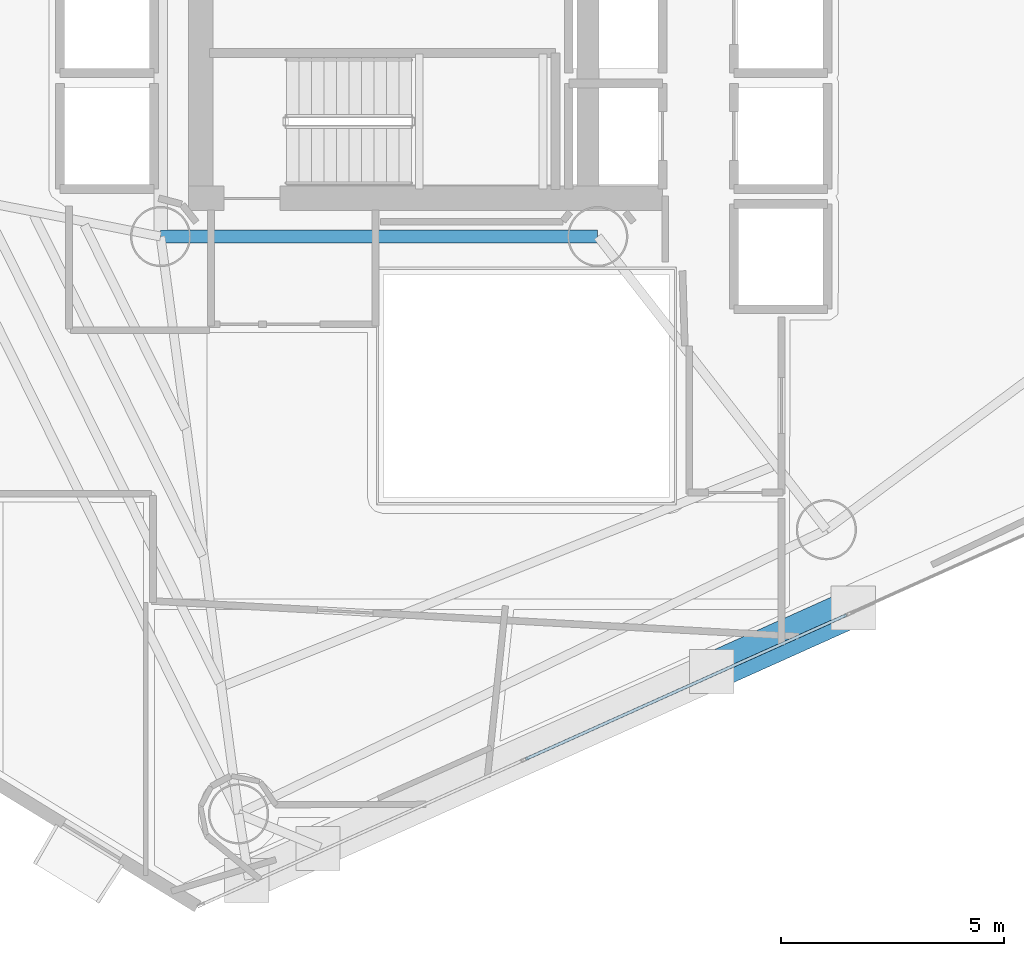
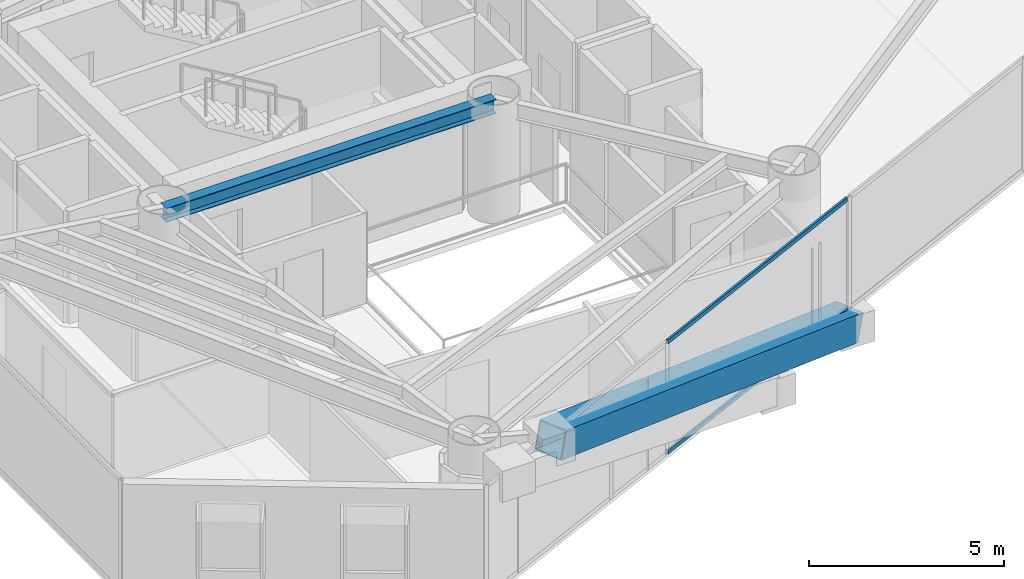
# One storey, part 6 of 23: 3 members, 1 beam, 1 element without a shape of its own.
"""IFC4 building model written with IfcOpenShell, lengths in metres."""

from ifc_helpers import new_model, si_unit, direction, frame, origin, origin_2d, place, context, subcontext, project, spatial, hollow_rectangle, i_section, extrude, material, layer, layer_set, material_profile, profile_set, type_object, element, aggregate, save


model = new_model("IFC4")

# Units and contexts
model_context = context("Model", 3, precision=1e-05, world=origin(), true_north=direction((0.0, 1.0)))
body_context = subcontext(model_context, "Body", "Model", "MODEL_VIEW")
ifc_project = project(units=[si_unit("LENGTHUNIT", "METRE"), si_unit("AREAUNIT", "SQUARE_METRE"), si_unit("VOLUMEUNIT", "CUBIC_METRE"), si_unit("PLANEANGLEUNIT", "RADIAN"), si_unit("MASSUNIT", "GRAM", prefix="KILO")], contexts=[model_context])

# Site, building, storey
site_placement = place(None, origin())
site = spatial("IfcSite", under=ifc_project, at=site_placement, CompositionType="ELEMENT")
building_placement = place(site_placement, origin())
building = spatial("IfcBuilding", under=site, at=building_placement, Name="Qianvela Tower", CompositionType="ELEMENT")
storey_placement = place(building_placement, frame((0.0, 0.0, 147.60009765625)))
storey = spatial("IfcBuildingStorey", under=building, at=storey_placement, Name="L37", CompositionType="ELEMENT", Elevation=147.60009765625)

# Beam
ifc_material_1 = material(Name="Steel Q355B", Category="steel")
ifc_material_profile_1 = material_profile(ifc_material_1, i_section(OverallWidth=0.300048828125, OverallDepth=0.43994140625, WebThickness=0.010986328125, FlangeThickness=0.01806640625, at=origin_2d()), Name="HM440x300x11x18")
ifc_profile_set_1 = profile_set([ifc_material_profile_1], Name="Steel Q355B")
beam_type = type_object("IfcBeamType", Name="BM-HM440-COLL", PredefinedType="BEAM", material=ifc_profile_set_1)
beam_placement = place(storey_placement, frame((28.60009765625, 23.85009765625, 3.2978515625), z_axis=(1.0, 0.0, 0.0), x_axis=(0.0, 1.0, 0.0)))
element("IfcBeam", 1, at=beam_placement, inside=storey, type_object=beam_type, Name="L37 Core Ring Collector Girder CC1", PredefinedType="BEAM", context=body_context, shape_type="SweptSolid", body=[
    extrude(i_section(OverallWidth=0.300048828125, OverallDepth=0.43994140625, WebThickness=0.010986328125, FlangeThickness=0.01806640625, at=origin_2d()), origin(), (0.0, 0.0, 1.0), 9.7998046875),
])

# Curtain wall, members
ifc_material_2 = material(Name="Anodised Architectural Aluminium and Insulated Spandrel Panel", Category="aluminium")
ifc_layer = layer(ifc_material_2, 0.179931640625)
ifc_layer_set = layer_set([ifc_layer], Name="Anodised Architectural Aluminium and Insulated Spandrel Panel")
curtain_wall_type = type_object("IfcCurtainWallType", Name="CW-BRACEBAY", PredefinedType="USERDEFINED", material=ifc_layer_set)
curtain_wall_placement = place(storey_placement, origin())
curtain_wall = element("IfcCurtainWall", 2, at=curtain_wall_placement, inside=storey, type_object=curtain_wall_type, Name="L37 CW-BRACEBAY Curtain Wall 06A", ObjectType="CURTAIN_WALL_SYSTEM", PredefinedType="USERDEFINED")
ifc_material_3 = material(Name="Anodised Architectural Aluminium 6063-T6", Category="aluminium")
ifc_material_profile_2 = material_profile(ifc_material_3, hollow_rectangle(XDim=0.06494140625, YDim=0.1298828125, WallThickness=0.00439453125, at=origin_2d()), Name="ALU-TRAN-65x130")
ifc_profile_set_2 = profile_set([ifc_material_profile_2], Name="Anodised Architectural Aluminium 6063-T6")
member_type_1 = type_object("IfcMemberType", Name="CW-BRACEBAY-TRAN", PredefinedType="USERDEFINED", material=ifc_profile_set_2)
member_1_placement = place(storey_placement, frame((36.78369140625, 12.1357421875, 0.032470703125), z_axis=(0.912175743582, 0.409799234774, 0.0), x_axis=(-0.409799234774, 0.912175743582, 0.0)))
member_1 = element("IfcMember", 3, at=member_1_placement, type_object=member_type_1, Name="CW-9 transom 2.1", ObjectType="TRANSOM", PredefinedType="USERDEFINED", context=body_context, shape_type="SweptSolid", body=[
    extrude(hollow_rectangle(XDim=0.06494140625, YDim=0.1298828125, WallThickness=0.00439453125, at=origin_2d()), origin(), (0.0, 0.0, 1.0), 7.882568359375),
])
member_2_placement = place(storey_placement, frame((36.78369140625, 12.1357421875, 3.4873046875), z_axis=(0.912175743582, 0.409799234774, 0.0), x_axis=(-0.409799234774, 0.912175743582, 0.0)))
member_2 = element("IfcMember", 4, at=member_2_placement, type_object=member_type_1, Name="CW-9 transom 2.2", ObjectType="TRANSOM", PredefinedType="USERDEFINED", context=body_context, shape_type="SweptSolid", body=[
    extrude(hollow_rectangle(XDim=0.06494140625, YDim=0.1298828125, WallThickness=0.00439453125, at=origin_2d()), origin(), (0.0, 0.0, 1.0), 7.882568359375),
])
aggregate(curtain_wall, [member_1, member_2])

# Member
ifc_material_4 = material(Name="Steel Q420GJC", Category="steel")
ifc_material_profile_3 = material_profile(ifc_material_4, hollow_rectangle(XDim=0.85009765625, YDim=0.85009765625, WallThickness=0.031982421875, at=origin_2d()), Name="MBOX-850x850x32")
ifc_profile_set_3 = profile_set([ifc_material_profile_3], Name="Steel Q420GJC")
member_type_2 = type_object("IfcMemberType", Name="MBR-MBRACE-850", PredefinedType="BRACE", material=ifc_profile_set_3)
member_3_placement = place(storey_placement, frame((44.075439453125, 15.49951171875, -0.482177734375), z_axis=(-0.877521520315, -0.394254280751, 0.272982679842), x_axis=(0.409819662626, -0.912166565998, 0.0)))
element("IfcMember", 5, at=member_3_placement, inside=storey, type_object=member_type_2, Name="L37 Tier 6 Exterior Mega-Brace F3B", PredefinedType="BRACE", context=body_context, shape_type="SweptSolid", body=[
    extrude(hollow_rectangle(XDim=0.85009765625, YDim=0.85009765625, WallThickness=0.031982421875, at=origin_2d()), origin(), (0.0, 0.0, 1.0), 13.5546875),
])

save(model, "model.ifc")
